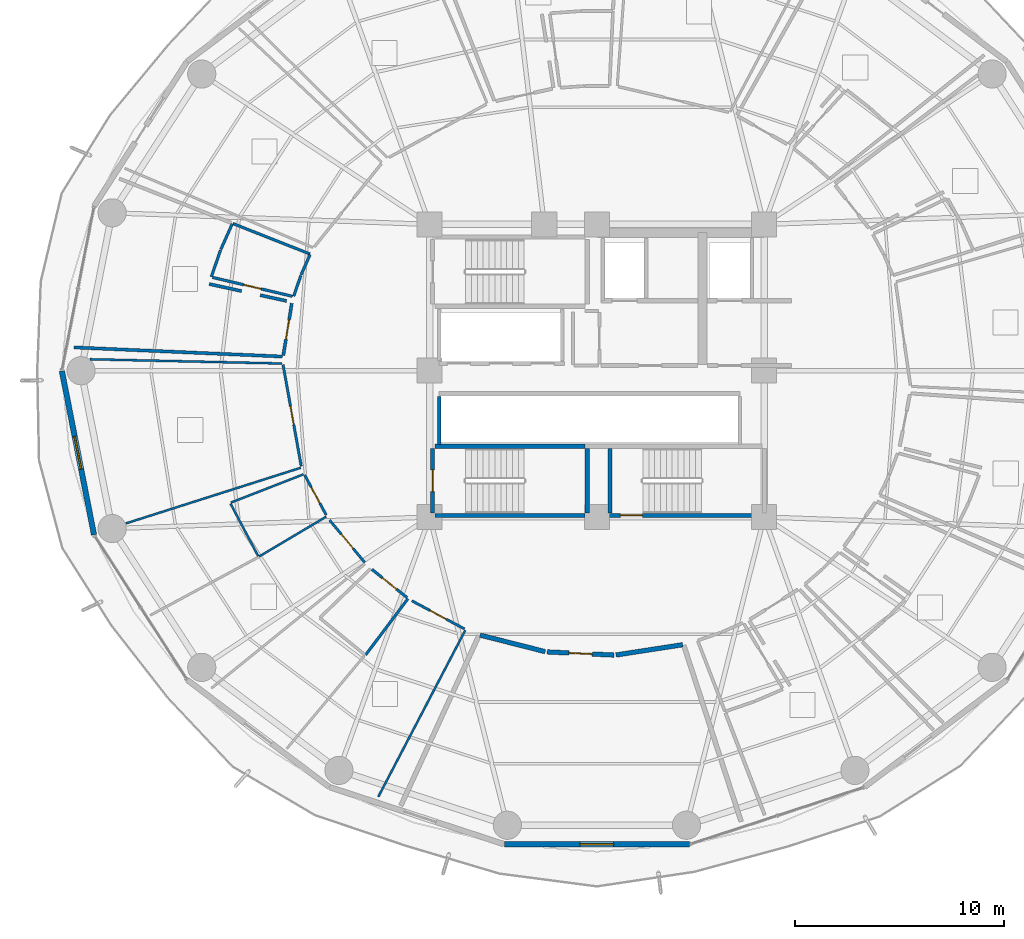
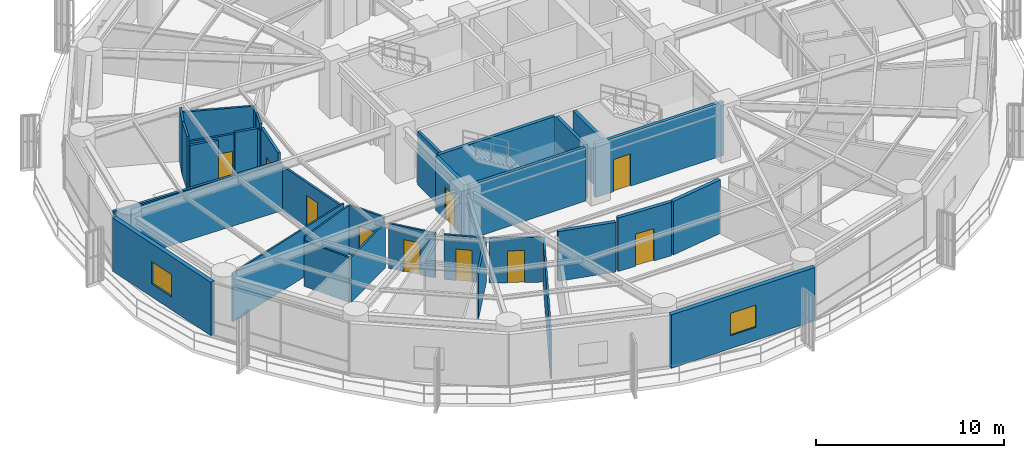
# One storey, part 29 of 37: 34 walls, 10 doors, 2 windows, 12 openings.
"""IFC4 building model written with IfcOpenShell, lengths in metres."""

import ifcopenshell
import ifcopenshell.guid

model = None  # the IFC model being written
_history = None  # IfcOwnerHistory: only IFC2X3 demands one
_inside = {}  # id of a spatial element -> (the spatial element, [elements in it])
_under = {}  # id of a project, library or spatial element -> (it, [spatial elements below it])
_declared = {}  # id of a project -> (the project, [libraries it declares])
_typed = {}  # id of a type object -> (the type object, [elements of that type])
_made_of = {}  # id of a material, layer set ... -> (it, [elements and type objects made of it])


def new_model(schema):
    """Start an empty IFC model of exactly this schema.

    Asked for "IFC4X3", IfcOpenShell would pick the latest addendum, in which some entities
    have other attributes; the version numbers below select the first issue.
    IFC2X3 requires an IfcOwnerHistory on every rooted entity: one is made here for all.
    """
    global model, _history
    if schema == "IFC4X3":
        model = ifcopenshell.file(schema_version=(4, 3, 0, 0))
    else:
        model = ifcopenshell.file(schema=schema)
    _inside.clear()
    _under.clear()
    _declared.clear()
    _typed.clear()
    _made_of.clear()
    _history = None
    if model.schema == "IFC2X3":
        org = make("IfcOrganization", Name="unknown")
        user = make(
            "IfcPersonAndOrganization",
            ThePerson=make("IfcPerson", FamilyName="unknown"),
            TheOrganization=org,
        )
        app = make(
            "IfcApplication",
            ApplicationDeveloper=org,
            Version="unknown",
            ApplicationFullName="unknown",
            ApplicationIdentifier="unknown",
        )
        _history = make(
            "IfcOwnerHistory",
            OwningUser=user,
            OwningApplication=app,
            ChangeAction="ADDED",
            CreationDate=0,
        )
    return model


def make(cls, **values):
    """One entity of the class cls with the attributes given. An attribute that is None is left unset."""
    return model.create_entity(
        cls, **{name: value for name, value in values.items() if value is not None}
    )


def rooted(cls, **values):
    """An entity with a GlobalId (a new one), such as an element, a storey or a relation."""
    return make(cls, GlobalId=ifcopenshell.guid.new(), OwnerHistory=_history, **values)


def si_unit(unit_type, name, prefix=None):
    """IfcSIUnit, for example si_unit("LENGTHUNIT", "METRE", prefix="MILLI")."""
    return make("IfcSIUnit", UnitType=unit_type, Prefix=prefix, Name=name)


def assignment(units):
    """IfcUnitAssignment: the units of a project."""
    return None if units is None else make("IfcUnitAssignment", Units=units)


def point(xyz):
    """IfcCartesianPoint."""
    return None if xyz is None else make("IfcCartesianPoint", Coordinates=xyz)


def direction(xyz):
    """IfcDirection."""
    return None if xyz is None else make("IfcDirection", DirectionRatios=xyz)


def frame(location, z_axis=None, x_axis=None):
    """IfcAxis2Placement3D, a coordinate frame: its origin and axes. An axis left out is left unset."""
    return make(
        "IfcAxis2Placement3D",
        Location=point(location),
        Axis=direction(z_axis),
        RefDirection=direction(x_axis),
    )


def frame_2d(location, x_axis=None):
    """IfcAxis2Placement2D, a coordinate frame in the plane: its origin and x axis."""
    return make(
        "IfcAxis2Placement2D", Location=point(location), RefDirection=direction(x_axis)
    )


def origin():
    """The frame at (0, 0, 0) with its axes left unset."""
    return frame((0.0, 0.0, 0.0))


def place(relative_to, where):
    """IfcLocalPlacement: puts the frame where relative to a parent placement (None: the world)."""
    return make(
        "IfcLocalPlacement", PlacementRelTo=relative_to, RelativePlacement=where
    )


def context(
    kind, dimensions, precision=None, world=None, true_north=None, identifier=None
):
    """IfcGeometricRepresentationContext, for example the 3D "Model" context."""
    return make(
        "IfcGeometricRepresentationContext",
        ContextIdentifier=identifier,
        ContextType=kind,
        CoordinateSpaceDimension=dimensions,
        Precision=precision,
        WorldCoordinateSystem=world,
        TrueNorth=true_north,
    )


def subcontext(parent, identifier, kind, view, scale=None):
    """IfcGeometricRepresentationSubContext, for example "Body" below "Model"."""
    return make(
        "IfcGeometricRepresentationSubContext",
        ContextIdentifier=identifier,
        ContextType=kind,
        ParentContext=parent,
        TargetScale=scale,
        TargetView=view,
    )


def project(units=None, contexts=None):
    """IfcProject with its units and contexts."""
    return rooted(
        "IfcProject",
        Name="project",
        RepresentationContexts=contexts,
        UnitsInContext=assignment(units),
    )


def spatial(cls, under=None, at=None, **own):
    """A site, building, storey or space (cls), placed at a placement, below another one or the project."""
    s = rooted(cls, ObjectPlacement=at, **own)
    if under is not None:
        _under.setdefault(under.id(), (under, []))[1].append(s)
    return s


def profile(cls, at=None, kind="AREA", **sizes):
    """A parametric profile (cls). Its sizes go by their IFC names, for example OverallWidth=200.0."""
    return make(cls, ProfileType=kind, Position=at, **sizes)


def rectangle(**sizes):
    """IfcRectangleProfileDef."""
    return profile("IfcRectangleProfileDef", **sizes)


def extrude(swept, where, along, depth):
    """IfcExtrudedAreaSolid: the profile swept, set in the frame where, extruded along a direction by depth."""
    return make(
        "IfcExtrudedAreaSolid",
        SweptArea=swept,
        Position=where,
        ExtrudedDirection=direction(along),
        Depth=depth,
    )


def shape(context_of_items, identifier, shape_type, items):
    """IfcShapeRepresentation: the items that make up one representation, for example the "Body"."""
    return make(
        "IfcShapeRepresentation",
        ContextOfItems=context_of_items,
        RepresentationIdentifier=identifier,
        RepresentationType=shape_type,
        Items=items,
    )


def material(Name=None, Category=None):
    """IfcMaterial."""
    return make("IfcMaterial", Name=Name, Category=Category)


def layer(
    of_material, thickness, ventilated=None, Name=None, Category=None, Priority=None
):
    """IfcMaterialLayer: one layer of a wall or slab, of a material (None: an air gap)."""
    return make(
        "IfcMaterialLayer",
        Material=of_material,
        LayerThickness=thickness,
        IsVentilated=ventilated,
        Name=Name,
        Category=Category,
        Priority=Priority,
    )


def layer_set(layers, Name=None):
    """IfcMaterialLayerSet."""
    return make("IfcMaterialLayerSet", MaterialLayers=layers, LayerSetName=Name)


def made_of(thing, what):
    """Note that an element or type object is made of a material, layer set ...; save() writes the relation."""
    if what is not None:
        _made_of.setdefault(what.id(), (what, []))[1].append(thing)
    return thing


def type_object(cls, material=None, **own):
    """A type object (cls), such as IfcWallType, which elements share."""
    return made_of(rooted(cls, **own), material)


def element(
    cls,
    number,
    at=None,
    inside=None,
    cuts=None,
    type_object=None,
    material=None,
    context=None,
    identifier="Body",
    shape_type=None,
    held_by="IfcProductDefinitionShape",
    body=None,
    shapes=None,
    **own,
):
    """One element of the class cls, such as IfcWall. Its Tag is "e" and its number.

    at: its placement. inside: the storey or other place that contains it. cuts: it is an
    opening in that element (IfcRelVoidsElement). A single representation is given by context,
    identifier, shape_type and body (its items); several are given by shapes. held_by: the class
    of the entity that holds the representations. save() writes the other relations.
    """
    e = rooted(cls, Tag="e%d" % number, ObjectPlacement=at, **own)
    if body is not None:
        shapes = [shape(context, identifier, shape_type, body)]
    if shapes is not None:
        e.Representation = make(held_by, Representations=shapes)
    if inside is not None:
        _inside.setdefault(inside.id(), (inside, []))[1].append(e)
    if cuts is not None:
        rooted(
            "IfcRelVoidsElement", RelatingBuildingElement=cuts, RelatedOpeningElement=e
        )
    if type_object is not None:
        _typed.setdefault(type_object.id(), (type_object, []))[1].append(e)
    return made_of(e, material)


def fill(opening, filler):
    """IfcRelFillsElement: the door or window that sits in an opening."""
    return rooted(
        "IfcRelFillsElement",
        RelatingOpeningElement=opening,
        RelatedBuildingElement=filler,
    )


def aggregate(whole, parts):
    """IfcRelAggregates: a whole, such as a stair, and the parts it consists of."""
    return rooted("IfcRelAggregates", RelatingObject=whole, RelatedObjects=parts)


def save(model, path):
    """Write the relations noted so far, then the file.

    IfcRelAggregates (storeys below a building ...), IfcRelContainedInSpatialStructure (elements
    in a storey), IfcRelDefinesByType, IfcRelAssociatesMaterial and IfcRelDeclares: one each for
    every whole, place, type object, material and project.
    """
    for whole, parts in _under.values():
        aggregate(whole, parts)
    for where, things in _inside.values():
        rooted(
            "IfcRelContainedInSpatialStructure",
            RelatedElements=things,
            RelatingStructure=where,
        )
    for kind, things in _typed.values():
        rooted("IfcRelDefinesByType", RelatedObjects=things, RelatingType=kind)
    for what, things in _made_of.values():
        rooted("IfcRelAssociatesMaterial", RelatedObjects=things, RelatingMaterial=what)
    for by, libraries in _declared.values():
        rooted("IfcRelDeclares", RelatingContext=by, RelatedDefinitions=libraries)
    model.write(path)


model = new_model("IFC4")

# Units and contexts
model_context = context("Model", 3, precision=1e-05, world=origin(), true_north=direction((0.0, 1.0)))
body_context = subcontext(model_context, "Body", "Model", "MODEL_VIEW")
ifc_project = project(units=[si_unit("LENGTHUNIT", "METRE"), si_unit("AREAUNIT", "SQUARE_METRE"), si_unit("VOLUMEUNIT", "CUBIC_METRE"), si_unit("PLANEANGLEUNIT", "RADIAN"), si_unit("MASSUNIT", "GRAM", prefix="KILO")], contexts=[model_context])

# Site, building, storey
site_placement = place(None, origin())
site = spatial("IfcSite", under=ifc_project, at=site_placement, CompositionType="ELEMENT")
building_placement = place(site_placement, origin())
building = spatial("IfcBuilding", under=site, at=building_placement, Name="Kelanora Arch Commons", CompositionType="ELEMENT")
storey_placement = place(building_placement, frame((0.0, 0.0, 110.10009765625)))
storey = spatial("IfcBuildingStorey", under=building, at=storey_placement, Name="L28", CompositionType="ELEMENT", Elevation=110.10009765625)

# Wall
ifc_material_1 = material(Name="Autoclaved aerated concrete blockwork with fire plaster", Category="masonry")
ifc_layer_1 = layer(ifc_material_1, 0.14990234375)
ifc_layer_set_1 = layer_set([ifc_layer_1], Name="Autoclaved aerated concrete blockwork with fire plaster")
wall_type_1 = type_object("IfcWallType", Name="W-COMP-150", PredefinedType="PARTITIONING", material=ifc_layer_set_1)
wall_1_placement = place(storey_placement, frame((66.4599609375, 54.47998046875, 0.0), z_axis=(0.0, 0.0, 1.0), x_axis=(0.0, 1.0, 0.0)))
element("IfcWall", 1, at=wall_1_placement, inside=storey, type_object=wall_type_1, Name="South Lift Bank West Wall L28", PredefinedType="PARTITIONING", context=body_context, shape_type="SweptSolid", body=[
    extrude(rectangle(XDim=2.2900390625, YDim=0.14990234375, at=frame_2d((1.14501953125, 0.0))), origin(), (0.0, 0.0, 1.0), 3.47998046875),
])

# Wall, opening, door
wall_2_placement = place(storey_placement, frame((59.40234375, 61.2216796875, 0.0), z_axis=(0.0, 0.0, 1.0), x_axis=(-0.16067340659, -0.987007627334, 0.0)))
wall_2 = element("IfcWall", 2, at=wall_2_placement, inside=storey, type_object=wall_type_1, Name="Co-Living Studio L28-11 Entry Partition", PredefinedType="PARTITIONING", context=body_context, shape_type="SweptSolid", body=[
    extrude(rectangle(XDim=2.519287109375, YDim=0.14990234375, at=frame_2d((1.259765625, 0.0))), origin(), (0.0, 0.0, 1.0), 3.47998046875),
])
opening_1_placement = place(wall_2_placement, frame((0.784912109375, 0.0, 0.0)))
opening_1 = element("IfcOpeningElement", 3, at=opening_1_placement, cuts=wall_2, Name="Opening D-CLU1", PredefinedType="OPENING", context=body_context, shape_type="SweptSolid", body=[
    extrude(rectangle(XDim=0.949951171875, YDim=2.080078125, at=frame_2d((0.47509765625, 1.0400390625))), frame((0.0, 0.0849609375, 0.0), z_axis=(0.0, -1.0, 0.0), x_axis=(1.0, 0.0, 0.0)), (0.0, 0.0, 1.0), 0.169921875),
])
ifc_material_2 = material(Name="Solid-core acoustic timber cluster entry fire door", Category="wood")
door_type_1 = type_object("IfcDoorType", Name="D-CLU-95", OperationType="NOTDEFINED", PredefinedType="DOOR", material=ifc_material_2)
door_1_placement = place(opening_1_placement, origin())
door_1 = element("IfcDoor", 4, at=door_1_placement, inside=storey, type_object=door_type_1, Name="Co-Living Studio L28-11 Door", OperationType="SINGLE_SWING_LEFT", OverallHeight=2.080078125, OverallWidth=0.949951171875, PredefinedType="DOOR", context=body_context, shape_type="SweptSolid", body=[
    extrude(rectangle(XDim=0.949951171875, YDim=2.080078125, at=frame_2d((0.47509765625, 1.0400390625))), frame((0.0, 0.02490234375, 0.0), z_axis=(0.0, -1.0, 0.0), x_axis=(1.0, 0.0, 0.0)), (0.0, 0.0, 1.0), 0.050048828125),
])
fill(opening_1, door_1)

# Walls
wall_3_placement = place(storey_placement, frame((58.947998046875, 58.677734375, 0.0), z_axis=(0.0, 0.0, 1.0), x_axis=(-0.999044661294, 0.043700855133, 0.0)))
element("IfcWall", 5, at=wall_3_placement, inside=storey, type_object=wall_type_1, Name="Co-Living Studio L28-11 Enclosure Partition 2", PredefinedType="PARTITIONING", context=body_context, shape_type="SweptSolid", body=[
    extrude(rectangle(XDim=9.966552734375, YDim=0.14990234375, at=frame_2d((4.9833984375, 0.0))), origin(), (0.0, 0.0, 1.0), 2.974853515625),
])
wall_4_placement = place(storey_placement, frame((55.4521484375, 62.146484375, 0.0), z_axis=(0.0, 0.0, 1.0), x_axis=(0.976922162328, -0.213595619694, 0.0)))
element("IfcWall", 6, at=wall_4_placement, inside=storey, type_object=wall_type_1, Name="Co-Living Studio L28-11 Enclosure Partition 7", PredefinedType="PARTITIONING", context=body_context, shape_type="SweptSolid", body=[
    extrude(rectangle(XDim=1.58203125, YDim=0.14990234375, at=frame_2d((0.791015625, 0.0))), origin(), (0.0, 0.0, 1.0), 3.1748046875),
])
wall_5_placement = place(storey_placement, frame((57.896484375, 61.6123046875, 0.0), z_axis=(0.0, 0.0, 1.0), x_axis=(0.976918594425, -0.213611937556, 0.0)))
element("IfcWall", 7, at=wall_5_placement, inside=storey, type_object=wall_type_1, Name="Co-Living Studio L28-11 Enclosure Partition 7", PredefinedType="PARTITIONING", context=body_context, shape_type="SweptSolid", body=[
    extrude(rectangle(XDim=1.285888671875, YDim=0.14990234375, at=frame_2d((0.64306640625, 0.0))), origin(), (0.0, 0.0, 1.0), 3.47998046875),
])

# Wall, opening, window
ifc_material_3 = material(Name="Precast concrete C40/50 with terracotta rainscreen", Category="masonry")
ifc_layer_2 = layer(ifc_material_3, 0.260009765625)
ifc_layer_set_2 = layer_set([ifc_layer_2], Name="Precast concrete C40/50 with terracotta rainscreen")
wall_type_2 = type_object("IfcWallType", Name="W-EXT-TC", PredefinedType="SOLIDWALL", material=ifc_layer_set_2)
wall_6_placement = place(storey_placement, frame((48.40283203125, 57.9853515625, 0.0), z_axis=(0.0, 0.0, 1.0), x_axis=(0.192581843632, -0.981280914674, 0.0)))
wall_6 = element("IfcWall", 8, at=wall_6_placement, inside=storey, type_object=wall_type_2, Name="Terracotta Exterior Wall L28-B09", PredefinedType="SOLIDWALL", context=body_context, shape_type="SweptSolid", body=[
    extrude(rectangle(XDim=7.986572265625, YDim=0.260009765625, at=frame_2d((3.9931640625, 0.0))), origin(), (0.0, 0.0, 1.0), 3.474853515625),
])
opening_2_placement = place(wall_6_placement, frame((3.193115234375, 0.0, 0.85009765625)))
opening_2 = element("IfcOpeningElement", 9, at=opening_2_placement, cuts=wall_6, Name="Opening WN-01", PredefinedType="OPENING", context=body_context, shape_type="SweptSolid", body=[
    extrude(rectangle(XDim=1.60009765625, YDim=1.449951171875, at=frame_2d((0.800048828125, 0.72509765625))), frame((0.0, 0.14013671875, 0.0), z_axis=(0.0, -1.0, 0.0), x_axis=(1.0, 0.0, 0.0)), (0.0, 0.0, 1.0), 0.280029296875),
])
ifc_material_4 = material(Name="Terracotta-anodised aluminium frame with operable low-E glazing", Category="masonry")
window_type = type_object("IfcWindowType", Name="WIN-CL-18", PartitioningType="DOUBLE_PANEL_VERTICAL", PredefinedType="WINDOW", material=ifc_material_4)
window_1_placement = place(opening_2_placement, origin())
window_1 = element("IfcWindow", 10, at=window_1_placement, inside=storey, type_object=window_type, Name="Co-Living Operable Window L28-B09", OverallHeight=1.449951171875, OverallWidth=1.60009765625, PartitioningType="SINGLE_PANEL", PredefinedType="WINDOW", context=body_context, shape_type="SweptSolid", body=[
    extrude(rectangle(XDim=1.60009765625, YDim=1.449951171875, at=frame_2d((0.800048828125, 0.72509765625))), frame((0.0, 0.030029296875, 0.0), z_axis=(0.0, -1.0, 0.0), x_axis=(1.0, 0.0, 0.0)), (0.0, 0.0, 1.0), 0.06005859375),
])
fill(opening_2, window_1)

wall_7_placement = place(storey_placement, frame((69.569580078125, 35.349365234375, 0.0), z_axis=(0.0, 0.0, 1.0), x_axis=(1.0, 0.0, 0.0)))
wall_7 = element("IfcWall", 11, at=wall_7_placement, inside=storey, type_object=wall_type_2, Name="Terracotta Exterior Wall L28-B13", PredefinedType="SOLIDWALL", context=body_context, shape_type="SweptSolid", body=[
    extrude(rectangle(XDim=8.86083984375, YDim=0.260009765625, at=frame_2d((4.430419921875, 0.0))), origin(), (0.0, 0.0, 1.0), 3.474853515625),
])
opening_3_placement = place(wall_7_placement, frame((3.6298828125, 0.0, 0.85009765625)))
opening_3 = element("IfcOpeningElement", 12, at=opening_3_placement, cuts=wall_7, Name="Opening WN-01", PredefinedType="OPENING", context=body_context, shape_type="SweptSolid", body=[
    extrude(rectangle(XDim=1.60009765625, YDim=1.449951171875, at=frame_2d((0.800048828125, 0.72509765625))), frame((0.0, 0.14013671875, 0.0), z_axis=(0.0, -1.0, 0.0), x_axis=(1.0, 0.0, 0.0)), (0.0, 0.0, 1.0), 0.280029296875),
])
window_2_placement = place(opening_3_placement, origin())
window_2 = element("IfcWindow", 13, at=window_2_placement, inside=storey, type_object=window_type, Name="Co-Living Operable Window L28-B13", OverallHeight=1.449951171875, OverallWidth=1.60009765625, PartitioningType="SINGLE_PANEL", PredefinedType="WINDOW", context=body_context, shape_type="SweptSolid", body=[
    extrude(rectangle(XDim=1.60009765625, YDim=1.449951171875, at=frame_2d((0.800048828125, 0.72509765625))), frame((0.0, 0.030029296875, 0.0), z_axis=(0.0, -1.0, 0.0), x_axis=(1.0, 0.0, 0.0)), (0.0, 0.0, 1.0), 0.06005859375),
])
fill(opening_3, window_2)

# Walls
ifc_material_5 = material(Name="Lightweight fire-rated acoustic stud partition")
ifc_layer_3 = layer(ifc_material_5, 0.10009765625)
ifc_layer_set_3 = layer_set([ifc_layer_3], Name="Lightweight fire-rated acoustic stud partition")
wall_type_3 = type_object("IfcWallType", Name="W-PART-100", PredefinedType="PARTITIONING", material=ifc_layer_set_3)
wall_8_placement = place(storey_placement, frame((59.826904296875, 53.35498046875, 0.0), z_axis=(0.0, 0.0, 1.0), x_axis=(-0.952909703193, -0.30325417979, 0.0)))
element("IfcWall", 14, at=wall_8_placement, inside=storey, type_object=wall_type_3, Name="Quiet Seminar Study Room L28-12 Enclosure Partition 2", PredefinedType="PARTITIONING", context=body_context, shape_type="SweptSolid", body=[
    extrude(rectangle(XDim=8.776123046875, YDim=0.10009765625, at=frame_2d((4.38818359375, 0.0))), origin(), (0.0, 0.0, 1.0), 3.1748046875),
])
wall_9_placement = place(storey_placement, frame((49.756103515625, 58.547607421875, 0.0), z_axis=(0.0, 0.0, 1.0), x_axis=(0.999754056426, -0.022177165281, 0.0)))
element("IfcWall", 15, at=wall_9_placement, inside=storey, type_object=wall_type_3, Name="Quiet Seminar Study Room L28-12 Enclosure Partition 4", PredefinedType="PARTITIONING", context=body_context, shape_type="SweptSolid", body=[
    extrude(rectangle(XDim=9.18115234375, YDim=0.10009765625, at=frame_2d((4.590576171875, 0.0))), origin(), (0.0, 0.0, 1.0), 3.1748046875),
])
wall_10_placement = place(storey_placement, frame((61.045654296875, 51.015625, 0.0), z_axis=(0.0, 0.0, 1.0), x_axis=(-0.859598985467, -0.510969259529, 0.0)))
element("IfcWall", 16, at=wall_10_placement, inside=storey, type_object=wall_type_3, Name="Student Laundry Room L28-13 Enclosure Partition 2", PredefinedType="PARTITIONING", context=body_context, shape_type="SweptSolid", body=[
    extrude(rectangle(XDim=3.720703125, YDim=0.10009765625, at=frame_2d((1.8603515625, 0.0))), origin(), (0.0, 0.0, 1.0), 2.9248046875),
])
wall_11_placement = place(storey_placement, frame((57.79443359375, 49.12939453125, 0.0), z_axis=(0.0, 0.0, 1.0), x_axis=(-0.465895277078, 0.884839867319, 0.0)))
element("IfcWall", 17, at=wall_11_placement, inside=storey, type_object=wall_type_3, Name="Student Laundry Room L28-13 Enclosure Partition 3", PredefinedType="PARTITIONING", context=body_context, shape_type="SweptSolid", body=[
    extrude(rectangle(XDim=2.839111328125, YDim=0.10009765625, at=frame_2d((1.41943359375, 0.0))), origin(), (0.0, 0.0, 1.0), 2.9248046875),
])
wall_12_placement = place(storey_placement, frame((56.490234375, 51.69140625, 0.0), z_axis=(0.0, 0.0, 1.0), x_axis=(0.931912263443, 0.362683792365, 0.0)))
element("IfcWall", 18, at=wall_12_placement, inside=storey, type_object=wall_type_3, Name="Student Laundry Room L28-13 Enclosure Partition 4", PredefinedType="PARTITIONING", context=body_context, shape_type="SweptSolid", body=[
    extrude(rectangle(XDim=3.7197265625, YDim=0.10009765625, at=frame_2d((1.85986328125, 0.0))), origin(), (0.0, 0.0, 1.0), 3.1748046875),
])
wall_13_placement = place(storey_placement, frame((67.700439453125, 45.58154296875, 0.0), z_axis=(0.0, 0.0, 1.0), x_axis=(-0.462926984727, -0.88639641629, 0.0)))
element("IfcWall", 19, at=wall_13_placement, inside=storey, type_object=wall_type_3, Name="Tutorial Study Alcove L28-14 Enclosure Partition 2", PredefinedType="PARTITIONING", context=body_context, shape_type="SweptSolid", body=[
    extrude(rectangle(XDim=8.990234375, YDim=0.10009765625, at=frame_2d((4.4951171875, 0.0))), origin(), (0.0, 0.0, 1.0), 2.9248046875),
])

# Wall, opening, door
ifc_material_6 = material(Name="Acoustic twin-stud fire-rated gypsum partition")
ifc_layer_4 = layer(ifc_material_6, 0.1201171875)
ifc_layer_set_4 = layer_set([ifc_layer_4], Name="Acoustic twin-stud fire-rated gypsum partition")
wall_type_4 = type_object("IfcWallType", Name="W-PART-120", PredefinedType="PARTITIONING", material=ifc_layer_set_4)
wall_14_placement = place(storey_placement, frame((58.985595703125, 58.283935546875, 0.0), z_axis=(0.0, 0.0, 1.0), x_axis=(0.17606801269, -0.984378004075, 0.0)))
wall_14 = element("IfcWall", 20, at=wall_14_placement, inside=storey, type_object=wall_type_4, Name="Quiet Seminar Study Room L28-12 Entry Partition", PredefinedType="PARTITIONING", context=body_context, shape_type="SweptSolid", body=[
    extrude(rectangle(XDim=4.93505859375, YDim=0.1201171875, at=frame_2d((2.467529296875, 0.0))), origin(), (0.0, 0.0, 1.0), 2.9248046875),
])
opening_4_placement = place(wall_14_placement, frame((2.01708984375, 0.0, 0.0)))
opening_4 = element("IfcOpeningElement", 21, at=opening_4_placement, cuts=wall_14, Name="Opening D-RM1", PredefinedType="OPENING", context=body_context, shape_type="SweptSolid", body=[
    extrude(rectangle(XDim=0.89990234375, YDim=2.080078125, at=frame_2d((0.449951171875, 1.0400390625))), frame((0.0, 0.070068359375, 0.0), z_axis=(0.0, -1.0, 0.0), x_axis=(1.0, 0.0, 0.0)), (0.0, 0.0, 1.0), 0.14013671875),
])
ifc_material_7 = material(Name="Acoustic fire-rated timber study and lounge door", Category="wood")
door_type_2 = type_object("IfcDoorType", Name="D-ROOM-90", OperationType="NOTDEFINED", PredefinedType="DOOR", material=ifc_material_7)
door_2_placement = place(opening_4_placement, origin())
door_2 = element("IfcDoor", 22, at=door_2_placement, inside=storey, type_object=door_type_2, Name="Quiet Seminar Study Room L28-12 Door", OperationType="SINGLE_SWING_RIGHT", OverallHeight=2.080078125, OverallWidth=0.89990234375, PredefinedType="DOOR", context=body_context, shape_type="SweptSolid", body=[
    extrude(rectangle(XDim=0.89990234375, YDim=2.080078125, at=frame_2d((0.449951171875, 1.0400390625))), frame((0.0, 0.02490234375, 0.0), z_axis=(0.0, -1.0, 0.0), x_axis=(1.0, 0.0, 0.0)), (0.0, 0.0, 1.0), 0.050048828125),
])
fill(opening_4, door_2)

wall_15_placement = place(storey_placement, frame((60.0224609375, 53.002197265625, 0.0), z_axis=(0.0, 0.0, 1.0), x_axis=(0.473670876771, -0.880701936241, 0.0)))
wall_15 = element("IfcWall", 23, at=wall_15_placement, inside=storey, type_object=wall_type_4, Name="Student Laundry Room L28-13 Entry Partition", PredefinedType="PARTITIONING", context=body_context, shape_type="SweptSolid", body=[
    extrude(rectangle(XDim=2.172607421875, YDim=0.1201171875, at=frame_2d((1.08642578125, 0.0))), origin(), (0.0, 0.0, 1.0), 3.23486328125),
])
opening_5_placement = place(wall_15_placement, frame((0.635986328125, 0.0, 0.0)))
opening_5 = element("IfcOpeningElement", 24, at=opening_5_placement, cuts=wall_15, Name="Opening D-RM1", PredefinedType="OPENING", context=body_context, shape_type="SweptSolid", body=[
    extrude(rectangle(XDim=0.89990234375, YDim=2.080078125, at=frame_2d((0.449951171875, 1.0400390625))), frame((0.0, 0.070068359375, 0.0), z_axis=(0.0, -1.0, 0.0), x_axis=(1.0, 0.0, 0.0)), (0.0, 0.0, 1.0), 0.14013671875),
])
door_3_placement = place(opening_5_placement, origin())
door_3 = element("IfcDoor", 25, at=door_3_placement, inside=storey, type_object=door_type_2, Name="Student Laundry Room L28-13 Door", OperationType="SINGLE_SWING_LEFT", OverallHeight=2.080078125, OverallWidth=0.89990234375, PredefinedType="DOOR", context=body_context, shape_type="SweptSolid", body=[
    extrude(rectangle(XDim=0.89990234375, YDim=2.080078125, at=frame_2d((0.449951171875, 1.0400390625))), frame((0.0, 0.02490234375, 0.0), z_axis=(0.0, -1.0, 0.0), x_axis=(1.0, 0.0, 0.0)), (0.0, 0.0, 1.0), 0.050048828125),
])
fill(opening_5, door_3)

wall_16_placement = place(storey_placement, frame((61.21337890625, 50.846923828125, 0.0), z_axis=(0.0, 0.0, 1.0), x_axis=(0.639180120379, -0.769057067916, 0.0)))
wall_16 = element("IfcWall", 26, at=wall_16_placement, inside=storey, type_object=wall_type_4, Name="Quiet Reading Carrel L28-13 Entry Partition", PredefinedType="PARTITIONING", context=body_context, shape_type="SweptSolid", body=[
    extrude(rectangle(XDim=2.631591796875, YDim=0.1201171875, at=frame_2d((1.31591796875, 0.0))), origin(), (0.0, 0.0, 1.0), 2.9248046875),
])
opening_6_placement = place(wall_16_placement, frame((0.865966796875, 0.0, 0.0)))
opening_6 = element("IfcOpeningElement", 27, at=opening_6_placement, cuts=wall_16, Name="Opening D-RM1", PredefinedType="OPENING", context=body_context, shape_type="SweptSolid", body=[
    extrude(rectangle(XDim=0.89990234375, YDim=2.080078125, at=frame_2d((0.449951171875, 1.0400390625))), frame((0.0, 0.070068359375, 0.0), z_axis=(0.0, -1.0, 0.0), x_axis=(1.0, 0.0, 0.0)), (0.0, 0.0, 1.0), 0.14013671875),
])
door_4_placement = place(opening_6_placement, origin())
door_4 = element("IfcDoor", 28, at=door_4_placement, inside=storey, type_object=door_type_2, Name="Quiet Reading Carrel L28-13 Door", OperationType="SINGLE_SWING_RIGHT", OverallHeight=2.080078125, OverallWidth=0.89990234375, PredefinedType="DOOR", context=body_context, shape_type="SweptSolid", body=[
    extrude(rectangle(XDim=0.89990234375, YDim=2.080078125, at=frame_2d((0.449951171875, 1.0400390625))), frame((0.0, 0.02490234375, 0.0), z_axis=(0.0, -1.0, 0.0), x_axis=(1.0, 0.0, 0.0)), (0.0, 0.0, 1.0), 0.050048828125),
])
fill(opening_6, door_4)

wall_17_placement = place(storey_placement, frame((65.14697265625, 46.99169921875, 0.0), z_axis=(0.0, 0.0, 1.0), x_axis=(0.881924316784, -0.471391026077, 0.0)))
wall_17 = element("IfcWall", 29, at=wall_17_placement, inside=storey, type_object=wall_type_4, Name="Tutorial Study Alcove L28-14 Entry Partition", PredefinedType="PARTITIONING", context=body_context, shape_type="SweptSolid", body=[
    extrude(rectangle(XDim=2.856201171875, YDim=0.1201171875, at=frame_2d((1.42822265625, 0.0))), origin(), (0.0, 0.0, 1.0), 2.9248046875),
])
opening_7_placement = place(wall_17_placement, frame((0.97802734375, 0.0, 0.0)))
opening_7 = element("IfcOpeningElement", 30, at=opening_7_placement, cuts=wall_17, Name="Opening D-RM1", PredefinedType="OPENING", context=body_context, shape_type="SweptSolid", body=[
    extrude(rectangle(XDim=0.89990234375, YDim=2.080078125, at=frame_2d((0.449951171875, 1.0400390625))), frame((0.0, 0.070068359375, 0.0), z_axis=(0.0, -1.0, 0.0), x_axis=(1.0, 0.0, 0.0)), (0.0, 0.0, 1.0), 0.14013671875),
])
door_5_placement = place(opening_7_placement, origin())
door_5 = element("IfcDoor", 31, at=door_5_placement, inside=storey, type_object=door_type_2, Name="Tutorial Study Alcove L28-14 Door", OperationType="SINGLE_SWING_RIGHT", OverallHeight=2.080078125, OverallWidth=0.89990234375, PredefinedType="DOOR", context=body_context, shape_type="SweptSolid", body=[
    extrude(rectangle(XDim=0.89990234375, YDim=2.080078125, at=frame_2d((0.449951171875, 1.0400390625))), frame((0.0, 0.02490234375, 0.0), z_axis=(0.0, -1.0, 0.0), x_axis=(1.0, 0.0, 0.0)), (0.0, 0.0, 1.0), 0.050048828125),
])
fill(opening_7, door_5)

ifc_material_8 = material(Name="Concrete C40/50", Category="concrete")
ifc_layer_5 = layer(ifc_material_8, 0.219970703125)
ifc_layer_set_5 = layer_set([ifc_layer_5], Name="Concrete C40/50")
wall_type_5 = type_object("IfcWallType", Name="W-REF-200", PredefinedType="SOLIDWALL", material=ifc_layer_set_5)
wall_18_placement = place(storey_placement, frame((71.621826171875, 44.547119140625, 0.0), z_axis=(0.0, 0.0, 1.0), x_axis=(0.998877795438, -0.0473619022, 0.0)))
wall_18 = element("IfcWall", 32, at=wall_18_placement, inside=storey, type_object=wall_type_5, Name="Two-Hour Fire Refuge Holding Room L28 Entry Partition", PredefinedType="SOLIDWALL", context=body_context, shape_type="SweptSolid", body=[
    extrude(rectangle(XDim=3.196044921875, YDim=0.219970703125, at=frame_2d((1.59814453125, 0.0))), origin(), (0.0, 0.0, 1.0), 3.47998046875),
])
opening_8_placement = place(wall_18_placement, frame((1.0380859375, 0.0, 0.0)))
opening_8 = element("IfcOpeningElement", 33, at=opening_8_placement, cuts=wall_18, Name="Opening D-REF1", PredefinedType="OPENING", context=body_context, shape_type="SweptSolid", body=[
    extrude(rectangle(XDim=1.1201171875, YDim=2.10009765625, at=frame_2d((0.56005859375, 1.050048828125))), frame((0.0, 0.1201171875, 0.0), z_axis=(0.0, -1.0, 0.0), x_axis=(1.0, 0.0, 0.0)), (0.0, 0.0, 1.0), 0.239990234375),
])
ifc_material_9 = material(Name="Two-hour fire refuge holding room door")
door_type_3 = type_object("IfcDoorType", Name="D-REF-110", OperationType="NOTDEFINED", PredefinedType="DOOR", material=ifc_material_9)
door_6_placement = place(opening_8_placement, origin())
door_6 = element("IfcDoor", 34, at=door_6_placement, inside=storey, type_object=door_type_3, Name="Two-Hour Fire Refuge Holding Room L28 Door", OperationType="SINGLE_SWING_LEFT", OverallHeight=2.10009765625, OverallWidth=1.1201171875, PredefinedType="DOOR", context=body_context, shape_type="SweptSolid", body=[
    extrude(rectangle(XDim=1.1201171875, YDim=2.10009765625, at=frame_2d((0.56005859375, 1.050048828125))), frame((0.0, 0.02490234375, 0.0), z_axis=(0.0, -1.0, 0.0), x_axis=(1.0, 0.0, 0.0)), (0.0, 0.0, 1.0), 0.050048828125),
])
fill(opening_8, door_6)

# Walls
wall_19_placement = place(storey_placement, frame((68.40869140625, 45.35205078125, 0.0), z_axis=(0.0, 0.0, 1.0), x_axis=(0.969137775127, -0.24651972096, 0.0)))
element("IfcWall", 35, at=wall_19_placement, inside=storey, type_object=wall_type_5, Name="Two-Hour Fire Refuge Holding Room L28 Enclosure Partition 1", PredefinedType="SOLIDWALL", context=body_context, shape_type="SweptSolid", body=[
    extrude(rectangle(XDim=3.213623046875, YDim=0.219970703125, at=frame_2d((1.60693359375, 0.0))), origin(), (0.0, 0.0, 1.0), 3.23486328125),
])
wall_20_placement = place(storey_placement, frame((74.91357421875, 44.399169921875, 0.0), z_axis=(0.0, 0.0, 1.0), x_axis=(0.988282336333, 0.152636901479, 0.0)))
element("IfcWall", 36, at=wall_20_placement, inside=storey, type_object=wall_type_5, Name="Two-Hour Fire Refuge Holding Room L28 Enclosure Partition 3", PredefinedType="SOLIDWALL", context=body_context, shape_type="SweptSolid", body=[
    extrude(rectangle(XDim=3.227783203125, YDim=0.219970703125, at=frame_2d((1.61376953125, 0.0))), origin(), (0.0, 0.0, 1.0), 3.47998046875),
])

# Wall, opening, door
ifc_layer_6 = layer(ifc_material_8, 0.199951171875)
ifc_layer_set_6 = layer_set([ifc_layer_6], Name="Concrete C40/50")
wall_type_6 = type_object("IfcWallType", Name="W-STAIR-200", PredefinedType="SHEAR", material=ifc_layer_set_6)
wall_21_placement = place(storey_placement, frame((74.0, 51.080078125, 0.0), z_axis=(0.0, 0.0, 1.0), x_axis=(1.0, 0.0, 0.0)))
wall_21 = element("IfcWall", 37, at=wall_21_placement, inside=storey, type_object=wall_type_6, Name="Stair ST-T2 Shaft Wall S L28", PredefinedType="SHEAR", context=body_context, shape_type="SweptSolid", body=[
    extrude(rectangle(XDim=7.89990234375, YDim=0.199951171875, at=frame_2d((3.949951171875, 0.0))), origin(), (0.0, 0.0, 1.0), 3.489990234375),
])
opening_9_placement = place(wall_21_placement, frame((1.1201171875, 0.0, 0.0)))
opening_9 = element("IfcOpeningElement", 38, at=opening_9_placement, cuts=wall_21, Name="Opening D-ST1", PredefinedType="OPENING", context=body_context, shape_type="SweptSolid", body=[
    extrude(rectangle(XDim=1.050048828125, YDim=2.10009765625, at=frame_2d((0.52490234375, 1.050048828125))), frame((0.0, 0.10986328125, 0.0), z_axis=(0.0, -1.0, 0.0), x_axis=(1.0, 0.0, 0.0)), (0.0, 0.0, 1.0), 0.219970703125),
])
ifc_material_10 = material(Name="Steel fire-rated stairwell escape door", Category="steel")
door_type_4 = type_object("IfcDoorType", Name="D-STAIR-110", OperationType="NOTDEFINED", PredefinedType="DOOR", material=ifc_material_10)
door_7_placement = place(opening_9_placement, origin())
door_7 = element("IfcDoor", 39, at=door_7_placement, inside=storey, type_object=door_type_4, Name="Stair ST-T2 Escape Door L28", OperationType="SINGLE_SWING_LEFT", OverallHeight=2.10009765625, OverallWidth=1.050048828125, PredefinedType="DOOR", context=body_context, shape_type="SweptSolid", body=[
    extrude(rectangle(XDim=1.050048828125, YDim=2.10009765625, at=frame_2d((0.52490234375, 1.050048828125))), frame((0.0, 0.02490234375, 0.0), z_axis=(0.0, -1.0, 0.0), x_axis=(1.0, 0.0, 0.0)), (0.0, 0.0, 1.0), 0.050048828125),
])
fill(opening_9, door_7)

# Walls
wall_22_placement = place(storey_placement, frame((74.6201171875, 54.27001953125, 0.0), z_axis=(0.0, 0.0, 1.0), x_axis=(0.0, -1.0, 0.0)))
element("IfcWall", 40, at=wall_22_placement, inside=storey, type_object=wall_type_6, Name="Stair ST-T2 Shaft Wall W L28", PredefinedType="SHEAR", context=body_context, shape_type="SweptSolid", body=[
    extrude(rectangle(XDim=3.070068359375, YDim=0.199951171875, at=frame_2d((1.53515625, 0.0))), origin(), (0.0, 0.0, 1.0), 3.489990234375),
])
wall_23_placement = place(storey_placement, frame((66.260009765625, 51.080078125, 0.0), z_axis=(0.0, 0.0, 1.0), x_axis=(1.0, 0.0, 0.0)))
element("IfcWall", 41, at=wall_23_placement, inside=storey, type_object=wall_type_6, Name="Stair ST-T3 Shaft Wall S L28", PredefinedType="SHEAR", context=body_context, shape_type="SweptSolid", body=[
    extrude(rectangle(XDim=7.159912109375, YDim=0.199951171875, at=frame_2d((3.580078125, 0.0))), origin(), (0.0, 0.0, 1.0), 3.489990234375),
])
wall_24_placement = place(storey_placement, frame((73.5400390625, 51.199951171875, 0.0), z_axis=(0.0, 0.0, 1.0), x_axis=(0.0, 1.0, 0.0)))
element("IfcWall", 42, at=wall_24_placement, inside=storey, type_object=wall_type_6, Name="Stair ST-T3 Shaft Wall E L28", PredefinedType="SHEAR", context=body_context, shape_type="SweptSolid", body=[
    extrude(rectangle(XDim=3.070068359375, YDim=0.199951171875, at=frame_2d((1.53515625, 0.0))), origin(), (0.0, 0.0, 1.0), 3.489990234375),
])
wall_25_placement = place(storey_placement, frame((73.419921875, 54.389892578125, 0.0), z_axis=(0.0, 0.0, 1.0), x_axis=(-1.0, 0.0, 0.0)))
element("IfcWall", 43, at=wall_25_placement, inside=storey, type_object=wall_type_6, Name="Stair ST-T3 Shaft Wall N L28", PredefinedType="SHEAR", context=body_context, shape_type="SweptSolid", body=[
    extrude(rectangle(XDim=7.159912109375, YDim=0.199951171875, at=frame_2d((3.580078125, 0.0))), origin(), (0.0, 0.0, 1.0), 3.489990234375),
])

# Wall, opening, door
wall_26_placement = place(storey_placement, frame((66.139892578125, 54.27001953125, 0.0), z_axis=(0.0, 0.0, 1.0), x_axis=(0.0, -1.0, 0.0)))
wall_26 = element("IfcWall", 44, at=wall_26_placement, inside=storey, type_object=wall_type_6, Name="Stair ST-T3 Shaft Wall W L28", PredefinedType="SHEAR", context=body_context, shape_type="SweptSolid", body=[
    extrude(rectangle(XDim=3.070068359375, YDim=0.199951171875, at=frame_2d((1.53515625, 0.0))), origin(), (0.0, 0.0, 1.0), 3.489990234375),
])
opening_10_placement = place(wall_26_placement, frame((1.010009765625, 0.0, 0.0)))
opening_10 = element("IfcOpeningElement", 45, at=opening_10_placement, cuts=wall_26, Name="Opening D-ST1", PredefinedType="OPENING", context=body_context, shape_type="SweptSolid", body=[
    extrude(rectangle(XDim=1.050048828125, YDim=2.10009765625, at=frame_2d((0.52490234375, 1.050048828125))), frame((0.0, 0.10986328125, 0.0), z_axis=(0.0, -1.0, 0.0), x_axis=(1.0, 0.0, 0.0)), (0.0, 0.0, 1.0), 0.219970703125),
])
door_8_placement = place(opening_10_placement, origin())
door_8 = element("IfcDoor", 46, at=door_8_placement, inside=storey, type_object=door_type_4, Name="Stair ST-T3 Escape Door L28", OperationType="SINGLE_SWING_LEFT", OverallHeight=2.10009765625, OverallWidth=1.050048828125, PredefinedType="DOOR", context=body_context, shape_type="SweptSolid", body=[
    extrude(rectangle(XDim=1.050048828125, YDim=2.10009765625, at=frame_2d((0.52490234375, 1.050048828125))), frame((0.0, 0.02490234375, 0.0), z_axis=(0.0, -1.0, 0.0), x_axis=(1.0, 0.0, 0.0)), (0.0, 0.0, 1.0), 0.050048828125),
])
fill(opening_10, door_8)

ifc_material_11 = material(Name="Moisture-resistant fire-rated cement-board plumbing wall")
ifc_layer_7 = layer(ifc_material_11, 0.1298828125)
ifc_layer_set_7 = layer_set([ifc_layer_7], Name="Moisture-resistant fire-rated cement-board plumbing wall")
wall_type_7 = type_object("IfcWallType", Name="W-WET-120", PredefinedType="PLUMBINGWALL", material=ifc_layer_set_7)
wall_27_placement = place(storey_placement, frame((59.4296875, 61.559814453125, 0.0), z_axis=(0.0, 0.0, 1.0), x_axis=(-0.97309348784, 0.230410641948, 0.0)))
wall_27 = element("IfcWall", 47, at=wall_27_placement, inside=storey, type_object=wall_type_7, Name="En-Suite Shower WC L28-11 Entry Partition", PredefinedType="PLUMBINGWALL", context=body_context, shape_type="SweptSolid", body=[
    extrude(rectangle(XDim=3.928955078125, YDim=0.1298828125, at=frame_2d((1.96435546875, 0.0))), origin(), (0.0, 0.0, 1.0), 3.1748046875),
])
opening_11_placement = place(wall_27_placement, frame((1.533935546875, 0.0, 0.0)))
opening_11 = element("IfcOpeningElement", 48, at=opening_11_placement, cuts=wall_27, Name="Opening D-BT1", PredefinedType="OPENING", context=body_context, shape_type="SweptSolid", body=[
    extrude(rectangle(XDim=0.860107421875, YDim=2.050048828125, at=frame_2d((0.43017578125, 1.02490234375))), frame((0.0, 0.074951171875, 0.0), z_axis=(0.0, -1.0, 0.0), x_axis=(1.0, 0.0, 0.0)), (0.0, 0.0, 1.0), 0.14990234375),
])
ifc_material_12 = material(Name="Moisture-sealed fire-rated accessible bathroom door")
door_type_5 = type_object("IfcDoorType", Name="D-BATH-85", OperationType="NOTDEFINED", PredefinedType="DOOR", material=ifc_material_12)
door_9_placement = place(opening_11_placement, origin())
door_9 = element("IfcDoor", 49, at=door_9_placement, inside=storey, type_object=door_type_5, Name="En-Suite Shower WC L28-11 Door", OperationType="SINGLE_SWING_RIGHT", OverallHeight=2.050048828125, OverallWidth=0.860107421875, PredefinedType="DOOR", context=body_context, shape_type="SweptSolid", body=[
    extrude(rectangle(XDim=0.860107421875, YDim=2.050048828125, at=frame_2d((0.43017578125, 1.02490234375))), frame((0.0, 0.02490234375, 0.0), z_axis=(0.0, -1.0, 0.0), x_axis=(1.0, 0.0, 0.0)), (0.0, 0.0, 1.0), 0.050048828125),
])
fill(opening_11, door_9)

wall_28_placement = place(storey_placement, frame((63.23291015625, 48.49658203125, 0.0), z_axis=(0.0, 0.0, 1.0), x_axis=(0.780097789407, -0.625657605214, 0.0)))
wall_28 = element("IfcWall", 50, at=wall_28_placement, inside=storey, type_object=wall_type_7, Name="Accessible Shared Floor WC L28-14 Entry Partition", PredefinedType="PLUMBINGWALL", context=body_context, shape_type="SweptSolid", body=[
    extrude(rectangle(XDim=2.1640625, YDim=0.1298828125, at=frame_2d((1.08203125, 0.0))), origin(), (0.0, 0.0, 1.0), 2.9248046875),
])
opening_12_placement = place(wall_28_placement, frame((0.652099609375, 0.0, 0.0)))
opening_12 = element("IfcOpeningElement", 51, at=opening_12_placement, cuts=wall_28, Name="Opening D-BT1", PredefinedType="OPENING", context=body_context, shape_type="SweptSolid", body=[
    extrude(rectangle(XDim=0.860107421875, YDim=2.050048828125, at=frame_2d((0.43017578125, 1.02490234375))), frame((0.0, 0.074951171875, 0.0), z_axis=(0.0, -1.0, 0.0), x_axis=(1.0, 0.0, 0.0)), (0.0, 0.0, 1.0), 0.14990234375),
])
door_10_placement = place(opening_12_placement, origin())
door_10 = element("IfcDoor", 52, at=door_10_placement, inside=storey, type_object=door_type_5, Name="Accessible Shared Floor WC L28-14 Door", OperationType="SINGLE_SWING_LEFT", OverallHeight=2.050048828125, OverallWidth=0.860107421875, PredefinedType="DOOR", context=body_context, shape_type="SweptSolid", body=[
    extrude(rectangle(XDim=0.860107421875, YDim=2.050048828125, at=frame_2d((0.43017578125, 1.02490234375))), frame((0.0, 0.02490234375, 0.0), z_axis=(0.0, -1.0, 0.0), x_axis=(1.0, 0.0, 0.0)), (0.0, 0.0, 1.0), 0.050048828125),
])
fill(opening_12, door_10)

# Walls
wall_29_placement = place(storey_placement, frame((60.27783203125, 63.559814453125, 0.0), z_axis=(0.0, 0.0, 1.0), x_axis=(-0.405022792184, -0.91430658852, 0.0)))
element("IfcWall", 53, at=wall_29_placement, inside=storey, type_object=wall_type_7, Name="En-Suite Shower WC L28-11 Enclosure Partition 1", PredefinedType="PLUMBINGWALL", context=body_context, shape_type="SweptSolid", body=[
    extrude(rectangle(XDim=1.05615234375, YDim=0.1298828125, at=frame_2d((0.528076171875, 0.0))), origin(), (0.0, 0.0, 1.0), 3.23486328125),
])
wall_30_placement = place(storey_placement, frame((59.83544921875, 62.55712890625, 0.0), z_axis=(0.0, 0.0, 1.0), x_axis=(-0.325079768511, -0.945686599305, 0.0)))
element("IfcWall", 54, at=wall_30_placement, inside=storey, type_object=wall_type_7, Name="En-Suite Shower WC L28-11 Enclosure Partition 2", PredefinedType="PLUMBINGWALL", context=body_context, shape_type="SweptSolid", body=[
    extrude(rectangle(XDim=1.049072265625, YDim=0.1298828125, at=frame_2d((0.5244140625, 0.0))), origin(), (0.0, 0.0, 1.0), 3.47998046875),
])
wall_31_placement = place(storey_placement, frame((55.554443359375, 62.497802734375, 0.0), z_axis=(0.0, 0.0, 1.0), x_axis=(0.327317350081, 0.944914468265, 0.0)))
element("IfcWall", 55, at=wall_31_placement, inside=storey, type_object=wall_type_7, Name="En-Suite Shower WC L28-11 Enclosure Partition 4", PredefinedType="PLUMBINGWALL", context=body_context, shape_type="SweptSolid", body=[
    extrude(rectangle(XDim=1.338134765625, YDim=0.1298828125, at=frame_2d((0.6689453125, 0.0))), origin(), (0.0, 0.0, 1.0), 3.47998046875),
])
wall_32_placement = place(storey_placement, frame((56.007080078125, 63.79931640625, 0.0), z_axis=(0.0, 0.0, 1.0), x_axis=(0.407618441725, 0.913152345431, 0.0)))
element("IfcWall", 56, at=wall_32_placement, inside=storey, type_object=wall_type_7, Name="En-Suite Shower WC L28-11 Enclosure Partition 5", PredefinedType="PLUMBINGWALL", context=body_context, shape_type="SweptSolid", body=[
    extrude(rectangle(XDim=1.346435546875, YDim=0.1298828125, at=frame_2d((0.67333984375, 0.0))), origin(), (0.0, 0.0, 1.0), 3.47998046875),
])
wall_33_placement = place(storey_placement, frame((56.58251953125, 65.039794921875, 0.0), z_axis=(0.0, 0.0, 1.0), x_axis=(0.930150236363, -0.367179163072, 0.0)))
element("IfcWall", 57, at=wall_33_placement, inside=storey, type_object=wall_type_7, Name="En-Suite Shower WC L28-11 Enclosure Partition 6", PredefinedType="PLUMBINGWALL", context=body_context, shape_type="SweptSolid", body=[
    extrude(rectangle(XDim=3.96142578125, YDim=0.1298828125, at=frame_2d((1.980712890625, 0.0))), origin(), (0.0, 0.0, 1.0), 3.1748046875),
])
wall_34_placement = place(storey_placement, frame((64.9560546875, 47.089111328125, 0.0), z_axis=(0.0, 0.0, 1.0), x_axis=(-0.600999501428, -0.799249397425, 0.0)))
element("IfcWall", 58, at=wall_34_placement, inside=storey, type_object=wall_type_7, Name="Accessible Shared Floor WC L28-14 Enclosure Partition 2", PredefinedType="PLUMBINGWALL", context=body_context, shape_type="SweptSolid", body=[
    extrude(rectangle(XDim=3.359375, YDim=0.1298828125, at=frame_2d((1.6796875, 0.0))), origin(), (0.0, 0.0, 1.0), 2.9248046875),
])

save(model, "model.ifc")
